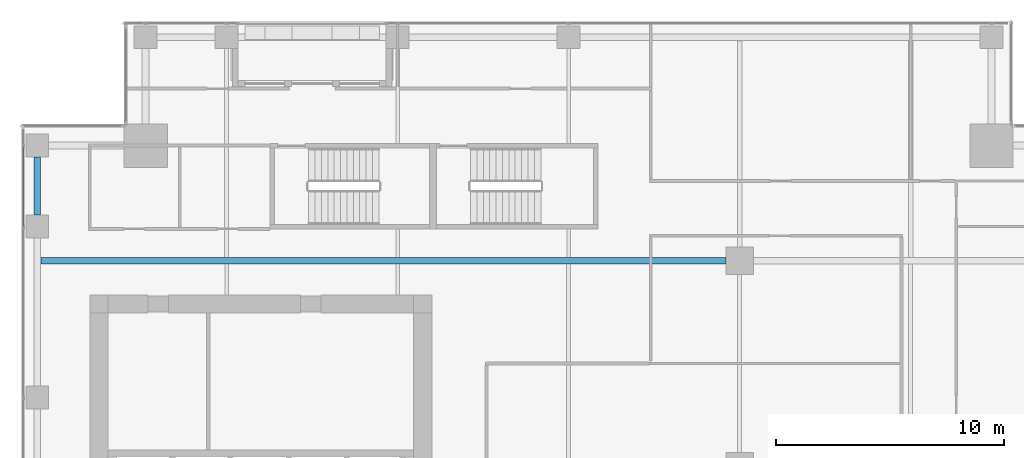
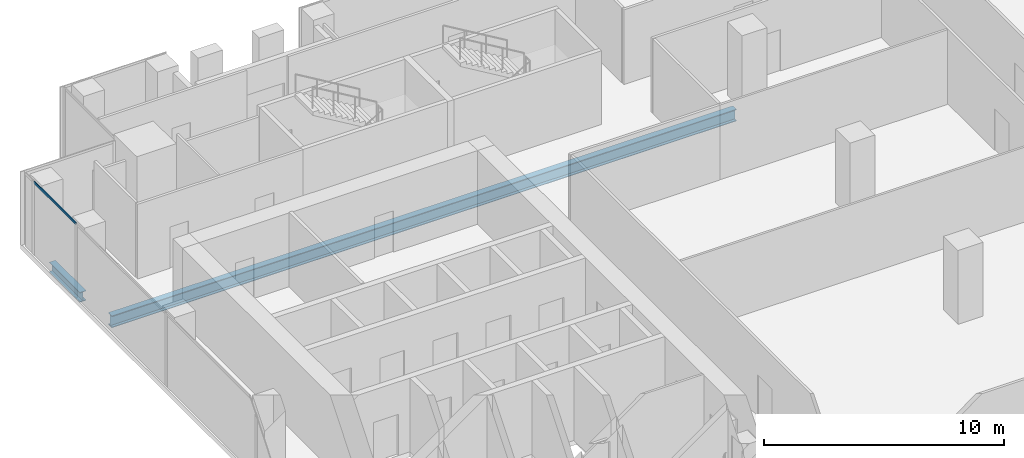
# One storey, part 18 of 40: 2 beams, 1 member, 1 element without a shape of its own.
"""IFC4 building model written with IfcOpenShell, lengths in metres."""

from ifc_helpers import new_model, si_unit, direction, frame, origin, origin_2d, place, context, subcontext, project, spatial, hollow_rectangle, i_section, extrude, source, transform, mapped, material, material_profile, profile_set, type_object, element, aggregate, save


model = new_model("IFC4")

# Units and contexts
model_context = context("Model", 3, precision=1e-05, world=origin(), true_north=direction((0.0, 1.0)))
body_context = subcontext(model_context, "Body", "Model", "MODEL_VIEW")
ifc_project = project(units=[si_unit("LENGTHUNIT", "METRE"), si_unit("AREAUNIT", "SQUARE_METRE"), si_unit("VOLUMEUNIT", "CUBIC_METRE"), si_unit("PLANEANGLEUNIT", "RADIAN"), si_unit("MASSUNIT", "GRAM", prefix="KILO")], contexts=[model_context])

# Site, building, storey
site_placement = place(None, origin())
site = spatial("IfcSite", under=ifc_project, at=site_placement, CompositionType="ELEMENT")
building_placement = place(site_placement, origin())
building = spatial("IfcBuilding", under=site, at=building_placement, Name="Khomas Fold Tower", CompositionType="ELEMENT")
storey_placement = place(building_placement, frame((0.0, 0.0, 192.699951171875)))
storey = spatial("IfcBuildingStorey", under=building, at=storey_placement, Name="L42", CompositionType="ELEMENT", Elevation=192.699951171875)

# Beams
ifc_material_1 = material(Name="Steel S355", Category="steel")
ifc_material_profile_1 = material_profile(ifc_material_1, i_section(OverallWidth=0.300048828125, OverallDepth=0.5, WebThickness=0.014404296875, FlangeThickness=0.028076171875, at=origin_2d()), Name="HE 500 B")
ifc_profile_set_1 = profile_set([ifc_material_profile_1], Name="Steel S355")
beam_type_1 = type_object("IfcBeamType", Name="HE 500 B spandrel SB3", PredefinedType="SPANDREL", material=ifc_profile_set_1)
shared_shape_1 = source(origin(), body_context, "Body", "SweptSolid", [
    extrude(i_section(OverallWidth=0.300048828125, OverallDepth=0.5, WebThickness=0.014404296875, FlangeThickness=0.028076171875, at=origin_2d()), origin(), (0.0, 0.0, 1.0), 2.550048828125),
])
beam_1_placement = place(storey_placement, frame((3.699951171875, 42.5, -0.5), z_axis=(0.0, 1.0, 0.0), x_axis=(-1.0, 0.0, 0.0)))
element("IfcBeam", 1, at=beam_1_placement, inside=storey, type_object=beam_type_1, Name="SB3", PredefinedType="SPANDREL", context=body_context, shape_type="MappedRepresentation", body=[
    mapped(shared_shape_1, transform((0.0, 0.0, 0.0))),
])
ifc_material_2 = material(Name="Steel S355", Category="steel")
ifc_material_profile_2 = material_profile(ifc_material_2, i_section(OverallWidth=0.300048828125, OverallDepth=0.60009765625, WebThickness=0.015380859375, FlangeThickness=0.030029296875, at=origin_2d()), Name="HE 600 B")
ifc_profile_set_2 = profile_set([ifc_material_profile_2], Name="Steel S355")
beam_type_2 = type_object("IfcBeamType", Name="HE 600 B beam GB5", PredefinedType="BEAM", material=ifc_profile_set_2)
shared_shape_2 = source(origin(), body_context, "Body", "SweptSolid", [
    extrude(i_section(OverallWidth=0.300048828125, OverallDepth=0.60009765625, WebThickness=0.015380859375, FlangeThickness=0.030029296875, at=origin_2d()), origin(), (0.0, 0.0, 1.0), 30.0498046875),
])
beam_2_placement = place(storey_placement, frame((3.85009765625, 40.5, -0.550048828125), z_axis=(1.0, 0.0, 0.0), x_axis=(0.0, 1.0, 0.0)))
element("IfcBeam", 2, at=beam_2_placement, inside=storey, type_object=beam_type_2, Name="GB5", PredefinedType="BEAM", context=body_context, shape_type="MappedRepresentation", body=[
    mapped(shared_shape_2, transform((0.0, 0.0, 0.0))),
])

# Curtain wall, member
ifc_material_3 = material(Name="Aluminium framed double glazing", Category="aluminium")
curtain_wall_type = type_object("IfcCurtainWallType", Name="SK-Unitised clear-glass wall, office floors CW2", PredefinedType="NOTDEFINED", material=ifc_material_3)
curtain_wall_placement = place(storey_placement, origin())
curtain_wall = element("IfcCurtainWall", 3, at=curtain_wall_placement, inside=storey, type_object=curtain_wall_type, Name="CW2 run L42 09-0", PredefinedType="NOTDEFINED")
ifc_material_4 = material(Name="Aluminium", Category="aluminium")
ifc_material_profile_3 = material_profile(ifc_material_4, hollow_rectangle(XDim=0.050048828125, YDim=0.110107421875, WallThickness=0.00390625, at=origin_2d()), Name="SK-Unitised clear-glass wall, office floors transom CW2-T")
ifc_profile_set_3 = profile_set([ifc_material_profile_3], Name="Aluminium")
member_type = type_object("IfcMemberType", Name="SK-Unitised clear-glass wall, office floors transom CW2-T", PredefinedType="USERDEFINED", material=ifc_profile_set_3)
shared_shape_3 = source(origin(), body_context, "Body", "SweptSolid", [
    extrude(hollow_rectangle(XDim=0.050048828125, YDim=0.110107421875, WallThickness=0.00390625, at=origin_2d()), origin(), (0.0, 0.0, 1.0), 3.489990234375),
])
member_placement = place(storey_placement, frame((3.10009765625, 45.52001953125, 3.695068359375), z_axis=(0.0, -1.0, 0.0), x_axis=(1.0, 0.0, 0.0)))
member = element("IfcMember", 4, at=member_placement, type_object=member_type, Name="CW2 transom 2", ObjectType="TRANSOM", PredefinedType="USERDEFINED", context=body_context, shape_type="MappedRepresentation", body=[
    mapped(shared_shape_3, transform((0.0, 0.0, 0.0))),
])
aggregate(curtain_wall, [member])

save(model, "model.ifc")
